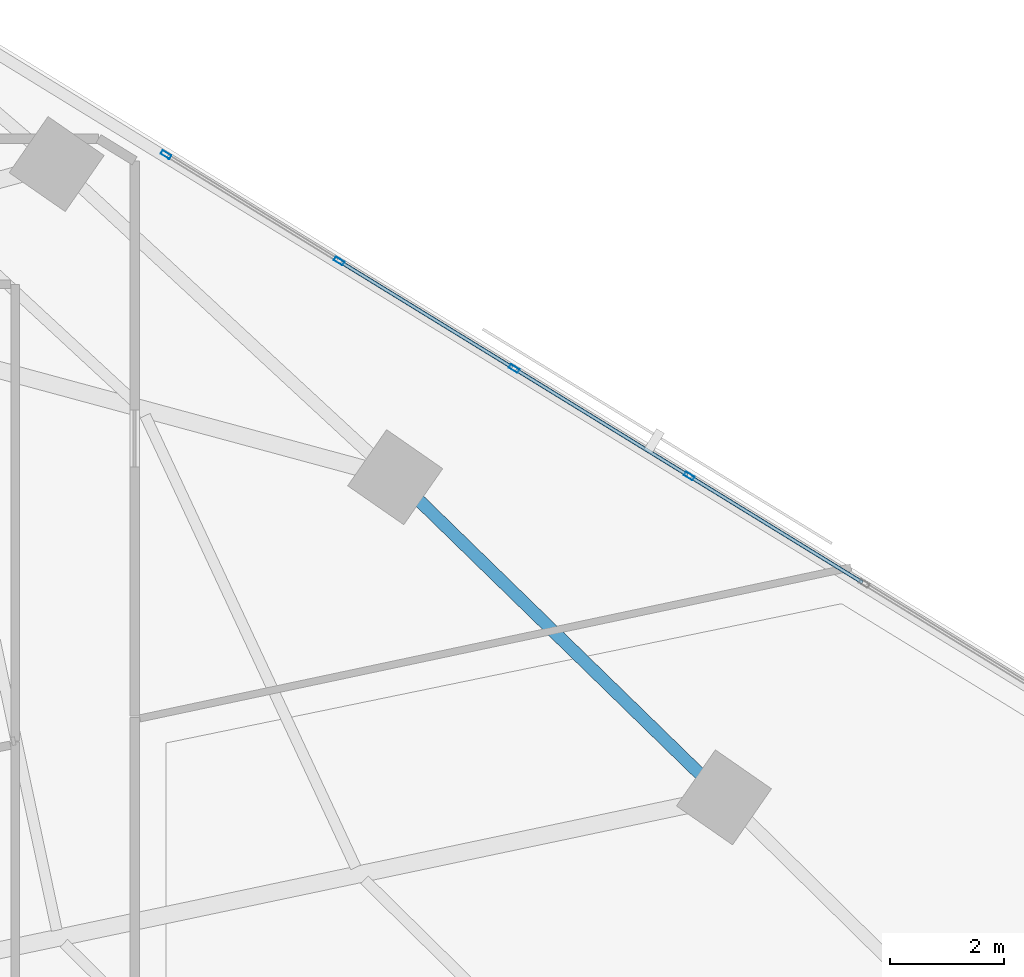
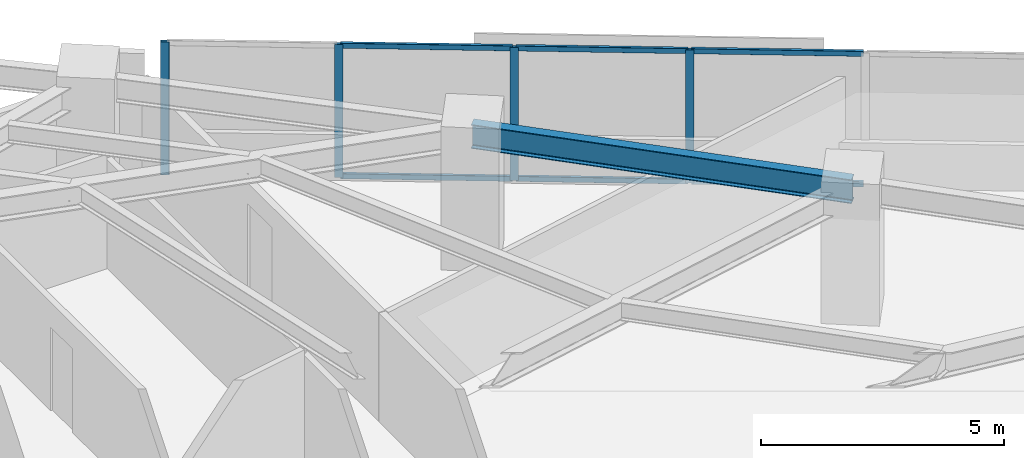
# One storey, part 6 of 18: 10 members, 1 beam, 1 element without a shape of its own.
"""IFC4 building model written with IfcOpenShell, lengths in metres."""

from ifc_helpers import new_model, si_unit, direction, frame, origin, origin_2d, place, context, subcontext, project, spatial, hollow_rectangle, i_section, extrude, material, material_profile, profile_set, type_object, element, aggregate, save


model = new_model("IFC4")

# Units and contexts
model_context = context("Model", 3, precision=1e-05, world=origin(), true_north=direction((0.0, 1.0)))
body_context = subcontext(model_context, "Body", "Model", "MODEL_VIEW")
ifc_project = project(units=[si_unit("LENGTHUNIT", "METRE"), si_unit("AREAUNIT", "SQUARE_METRE"), si_unit("VOLUMEUNIT", "CUBIC_METRE"), si_unit("PLANEANGLEUNIT", "RADIAN"), si_unit("MASSUNIT", "GRAM", prefix="KILO")], contexts=[model_context])

# Site, building, storey
site_placement = place(None, origin())
site = spatial("IfcSite", under=ifc_project, at=site_placement, CompositionType="ELEMENT")
building_placement = place(site_placement, origin())
building = spatial("IfcBuilding", under=site, at=building_placement, Name="Narakoshi Arena Tower", CompositionType="ELEMENT")
storey_placement = place(building_placement, frame((0.0, 0.0, 110.10009765625)))
storey = spatial("IfcBuildingStorey", under=building, at=storey_placement, Name="L29", CompositionType="ELEMENT", Elevation=110.10009765625)

# Beam
ifc_material_1 = material(Name="Structural steel S355J2", Category="steel")
ifc_material_profile_1 = material_profile(ifc_material_1, i_section(OverallWidth=0.219970703125, OverallDepth=0.60009765625, WebThickness=0.011962890625, FlangeThickness=0.01904296875, FilletRadius=0.02392578125, at=origin_2d()), Name="IPE600")
ifc_profile_set_1 = profile_set([ifc_material_profile_1], Name="Structural steel S355J2")
beam_type = type_object("IfcBeamType", Name="BM-EDGE-600", PredefinedType="BEAM", material=ifc_profile_set_1)
beam_placement = place(storey_placement, frame((104.42041015625, 47.33056640625, 3.039794921875), z_axis=(-0.71641187053, 0.697677598726, 0.0), x_axis=(-0.697677598726, -0.71641187053, 0.0)))
element("IfcBeam", 1, at=beam_placement, inside=storey, type_object=beam_type, Name="L29 Perimeter Edge Girder 05", PredefinedType="BEAM", context=body_context, shape_type="SweptSolid", body=[
    extrude(i_section(OverallWidth=0.219970703125, OverallDepth=0.60009765625, WebThickness=0.011962890625, FlangeThickness=0.01904296875, FilletRadius=0.02392578125, at=origin_2d()), origin(), (0.0, 0.0, 1.0), 8.066650390625),
])

# Curtain wall, members
ifc_material_2 = material(Name="Anodised bronze aluminium 6063-T6", Category="aluminium")
curtain_wall_type = type_object("IfcCurtainWallType", Name="CW-HYP-LOW", PredefinedType="NOTDEFINED", material=ifc_material_2)
curtain_wall_placement = place(storey_placement, origin())
curtain_wall = element("IfcCurtainWall", 2, at=curtain_wall_placement, inside=storey, type_object=curtain_wall_type, Name="L29 Folded Hypotenuse Curtain Wall 1-1", PredefinedType="NOTDEFINED")
ifc_material_profile_2 = material_profile(ifc_material_2, hollow_rectangle(XDim=0.074951171875, YDim=0.179931640625, WallThickness=0.00390625, OuterFilletRadius=0.0048828125, at=origin_2d()), Name="MUL180x75x4")
ifc_profile_set_2 = profile_set([ifc_material_profile_2], Name="Anodised bronze aluminium 6063-T6")
member_type_1 = type_object("IfcMemberType", Name="MEM-MUL-180", PredefinedType="MULLION", material=ifc_profile_set_2)
member_1_placement = place(storey_placement, frame((103.81005859375, 52.97802734375, 0.0), z_axis=(0.0, 0.0, 1.0), x_axis=(-0.523357676535, -0.852113104237, 0.0)))
member_1 = element("IfcMember", 3, at=member_1_placement, type_object=member_type_1, Name="CW-01 mullion 6", PredefinedType="MULLION", context=body_context, shape_type="SweptSolid", body=[
    extrude(hollow_rectangle(XDim=0.074951171875, YDim=0.179931640625, WallThickness=0.00390625, OuterFilletRadius=0.0048828125, at=origin_2d()), origin(), (0.0, 0.0, 1.0), 3.33984375),
])
member_2_placement = place(storey_placement, frame((100.733154296875, 54.86767578125, 0.0), z_axis=(0.0, 0.0, 1.0), x_axis=(-0.523357676535, -0.852113104237, 0.0)))
member_2 = element("IfcMember", 4, at=member_2_placement, type_object=member_type_1, Name="CW-01 mullion 7", PredefinedType="MULLION", context=body_context, shape_type="SweptSolid", body=[
    extrude(hollow_rectangle(XDim=0.074951171875, YDim=0.179931640625, WallThickness=0.00390625, OuterFilletRadius=0.0048828125, at=origin_2d()), origin(), (0.0, 0.0, 1.0), 3.33984375),
])
member_3_placement = place(storey_placement, frame((97.65625, 56.757568359375, 0.0), z_axis=(0.0, 0.0, 1.0), x_axis=(-0.523357676535, -0.852113104237, 0.0)))
member_3 = element("IfcMember", 5, at=member_3_placement, type_object=member_type_1, Name="CW-01 mullion 8", PredefinedType="MULLION", context=body_context, shape_type="SweptSolid", body=[
    extrude(hollow_rectangle(XDim=0.074951171875, YDim=0.179931640625, WallThickness=0.00390625, OuterFilletRadius=0.0048828125, at=origin_2d()), origin(), (0.0, 0.0, 1.0), 3.33984375),
])
member_4_placement = place(storey_placement, frame((94.611328125, 58.627685546875, 0.0), z_axis=(0.0, 0.0, 1.0), x_axis=(-0.523357676535, -0.852113104237, 0.0)))
member_4 = element("IfcMember", 6, at=member_4_placement, type_object=member_type_1, Name="CW-01 mullion 9", PredefinedType="MULLION", context=body_context, shape_type="SweptSolid", body=[
    extrude(hollow_rectangle(XDim=0.074951171875, YDim=0.179931640625, WallThickness=0.00390625, OuterFilletRadius=0.0048828125, at=origin_2d()), origin(), (0.0, 0.0, 1.0), 3.33984375),
])
ifc_material_profile_3 = material_profile(ifc_material_2, hollow_rectangle(XDim=0.06494140625, YDim=0.1298828125, WallThickness=0.00390625, OuterFilletRadius=0.0048828125, at=origin_2d()), Name="TRN130x65x4")
ifc_profile_set_3 = profile_set([ifc_material_profile_3], Name="Anodised bronze aluminium 6063-T6")
member_type_2 = type_object("IfcMemberType", Name="MEM-TRN-130", PredefinedType="USERDEFINED", material=ifc_profile_set_3)
member_5_placement = place(storey_placement, frame((106.85498046875, 51.107666015625, 0.032470703125), z_axis=(-0.852103699909, 0.523372988032, 0.0), x_axis=(-0.523372988032, -0.852103699909, 0.0)))
member_5 = element("IfcMember", 7, at=member_5_placement, type_object=member_type_2, Name="CW-01 transom 5.1", ObjectType="TRANSOM", PredefinedType="USERDEFINED", context=body_context, shape_type="SweptSolid", body=[
    extrude(hollow_rectangle(XDim=0.06494140625, YDim=0.1298828125, WallThickness=0.00390625, OuterFilletRadius=0.0048828125, at=origin_2d()), origin(), (0.0, 0.0, 1.0), 3.535888671875),
])
member_6_placement = place(storey_placement, frame((106.85498046875, 51.107666015625, 3.307373046875), z_axis=(-0.852103699909, 0.523372988032, 0.0), x_axis=(-0.523372988032, -0.852103699909, 0.0)))
member_6 = element("IfcMember", 8, at=member_6_placement, type_object=member_type_2, Name="CW-01 transom 5.2", ObjectType="TRANSOM", PredefinedType="USERDEFINED", context=body_context, shape_type="SweptSolid", body=[
    extrude(hollow_rectangle(XDim=0.06494140625, YDim=0.1298828125, WallThickness=0.00390625, OuterFilletRadius=0.0048828125, at=origin_2d()), origin(), (0.0, 0.0, 1.0), 3.535888671875),
])
member_7_placement = place(storey_placement, frame((103.778076171875, 52.99755859375, 0.032470703125), z_axis=(-0.852103699909, 0.523372988032, 0.0), x_axis=(-0.523372988032, -0.852103699909, 0.0)))
member_7 = element("IfcMember", 9, at=member_7_placement, type_object=member_type_2, Name="CW-01 transom 6.1", ObjectType="TRANSOM", PredefinedType="USERDEFINED", context=body_context, shape_type="SweptSolid", body=[
    extrude(hollow_rectangle(XDim=0.06494140625, YDim=0.1298828125, WallThickness=0.00390625, OuterFilletRadius=0.0048828125, at=origin_2d()), origin(), (0.0, 0.0, 1.0), 3.535888671875),
])
member_8_placement = place(storey_placement, frame((103.778076171875, 52.99755859375, 3.307373046875), z_axis=(-0.852103699909, 0.523372988032, 0.0), x_axis=(-0.523372988032, -0.852103699909, 0.0)))
member_8 = element("IfcMember", 10, at=member_8_placement, type_object=member_type_2, Name="CW-01 transom 6.2", ObjectType="TRANSOM", PredefinedType="USERDEFINED", context=body_context, shape_type="SweptSolid", body=[
    extrude(hollow_rectangle(XDim=0.06494140625, YDim=0.1298828125, WallThickness=0.00390625, OuterFilletRadius=0.0048828125, at=origin_2d()), origin(), (0.0, 0.0, 1.0), 3.535888671875),
])
member_9_placement = place(storey_placement, frame((100.701171875, 54.887451171875, 0.032470703125), z_axis=(-0.852134492111, 0.523322851933, 0.0), x_axis=(-0.523322851933, -0.852134492111, 0.0)))
member_9 = element("IfcMember", 11, at=member_9_placement, type_object=member_type_2, Name="CW-01 transom 7.1", ObjectType="TRANSOM", PredefinedType="USERDEFINED", context=body_context, shape_type="SweptSolid", body=[
    extrude(hollow_rectangle(XDim=0.06494140625, YDim=0.1298828125, WallThickness=0.00390625, OuterFilletRadius=0.0048828125, at=origin_2d()), origin(), (0.0, 0.0, 1.0), 3.53564453125),
])
member_10_placement = place(storey_placement, frame((100.701171875, 54.887451171875, 3.307373046875), z_axis=(-0.852134492111, 0.523322851933, 0.0), x_axis=(-0.523322851933, -0.852134492111, 0.0)))
member_10 = element("IfcMember", 12, at=member_10_placement, type_object=member_type_2, Name="CW-01 transom 7.2", ObjectType="TRANSOM", PredefinedType="USERDEFINED", context=body_context, shape_type="SweptSolid", body=[
    extrude(hollow_rectangle(XDim=0.06494140625, YDim=0.1298828125, WallThickness=0.00390625, OuterFilletRadius=0.0048828125, at=origin_2d()), origin(), (0.0, 0.0, 1.0), 3.53564453125),
])
aggregate(curtain_wall, [member_1, member_2, member_3, member_4, member_5, member_6, member_7, member_8, member_9, member_10])

save(model, "model.ifc")
